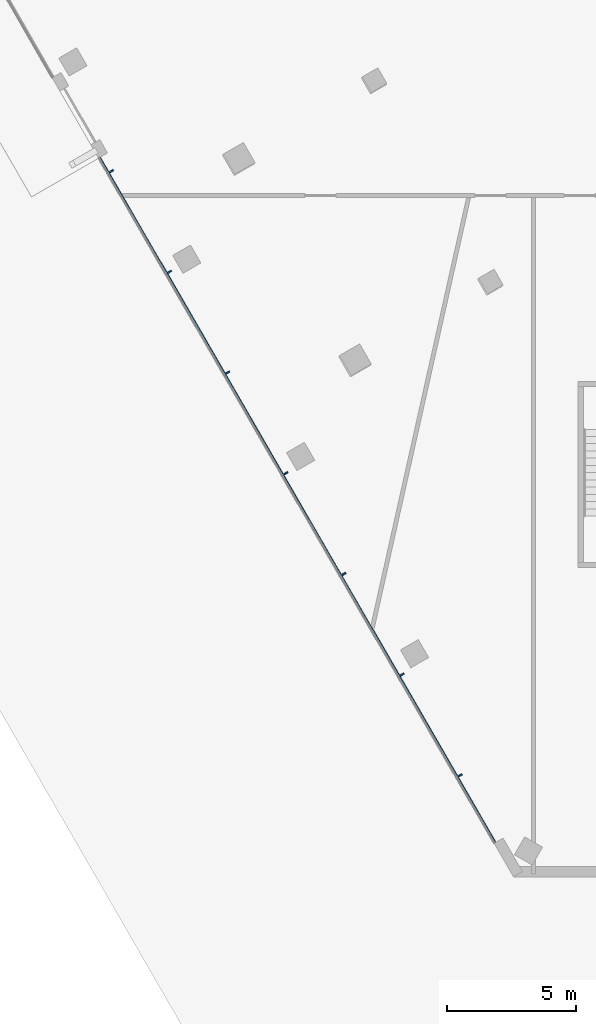
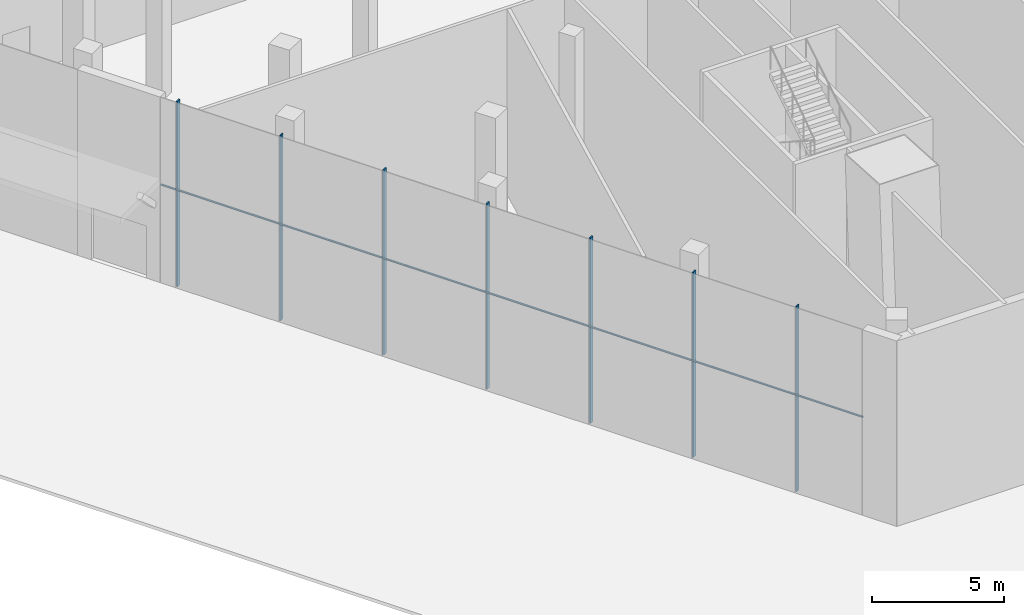
# One storey, part 2 of 21: 8 members, 1 element without a shape of its own.
"""IFC4 building model written with IfcOpenShell, lengths in metres."""

import ifcopenshell
import ifcopenshell.guid

model = None  # the IFC model being written
_history = None  # IfcOwnerHistory: only IFC2X3 demands one
_inside = {}  # id of a spatial element -> (the spatial element, [elements in it])
_under = {}  # id of a project, library or spatial element -> (it, [spatial elements below it])
_declared = {}  # id of a project -> (the project, [libraries it declares])
_typed = {}  # id of a type object -> (the type object, [elements of that type])
_made_of = {}  # id of a material, layer set ... -> (it, [elements and type objects made of it])


def new_model(schema):
    """Start an empty IFC model of exactly this schema.

    Asked for "IFC4X3", IfcOpenShell would pick the latest addendum, in which some entities
    have other attributes; the version numbers below select the first issue.
    IFC2X3 requires an IfcOwnerHistory on every rooted entity: one is made here for all.
    """
    global model, _history
    if schema == "IFC4X3":
        model = ifcopenshell.file(schema_version=(4, 3, 0, 0))
    else:
        model = ifcopenshell.file(schema=schema)
    _inside.clear()
    _under.clear()
    _declared.clear()
    _typed.clear()
    _made_of.clear()
    _history = None
    if model.schema == "IFC2X3":
        org = make("IfcOrganization", Name="unknown")
        user = make(
            "IfcPersonAndOrganization",
            ThePerson=make("IfcPerson", FamilyName="unknown"),
            TheOrganization=org,
        )
        app = make(
            "IfcApplication",
            ApplicationDeveloper=org,
            Version="unknown",
            ApplicationFullName="unknown",
            ApplicationIdentifier="unknown",
        )
        _history = make(
            "IfcOwnerHistory",
            OwningUser=user,
            OwningApplication=app,
            ChangeAction="ADDED",
            CreationDate=0,
        )
    return model


def make(cls, **values):
    """One entity of the class cls with the attributes given. An attribute that is None is left unset."""
    return model.create_entity(
        cls, **{name: value for name, value in values.items() if value is not None}
    )


def rooted(cls, **values):
    """An entity with a GlobalId (a new one), such as an element, a storey or a relation."""
    return make(cls, GlobalId=ifcopenshell.guid.new(), OwnerHistory=_history, **values)


def si_unit(unit_type, name, prefix=None):
    """IfcSIUnit, for example si_unit("LENGTHUNIT", "METRE", prefix="MILLI")."""
    return make("IfcSIUnit", UnitType=unit_type, Prefix=prefix, Name=name)


def assignment(units):
    """IfcUnitAssignment: the units of a project."""
    return None if units is None else make("IfcUnitAssignment", Units=units)


def point(xyz):
    """IfcCartesianPoint."""
    return None if xyz is None else make("IfcCartesianPoint", Coordinates=xyz)


def direction(xyz):
    """IfcDirection."""
    return None if xyz is None else make("IfcDirection", DirectionRatios=xyz)


def frame(location, z_axis=None, x_axis=None):
    """IfcAxis2Placement3D, a coordinate frame: its origin and axes. An axis left out is left unset."""
    return make(
        "IfcAxis2Placement3D",
        Location=point(location),
        Axis=direction(z_axis),
        RefDirection=direction(x_axis),
    )


def frame_2d(location, x_axis=None):
    """IfcAxis2Placement2D, a coordinate frame in the plane: its origin and x axis."""
    return make(
        "IfcAxis2Placement2D", Location=point(location), RefDirection=direction(x_axis)
    )


def origin():
    """The frame at (0, 0, 0) with its axes left unset."""
    return frame((0.0, 0.0, 0.0))


def origin_2d():
    """The frame at (0, 0) in the plane with its x axis left unset."""
    return frame_2d((0.0, 0.0))


def place(relative_to, where):
    """IfcLocalPlacement: puts the frame where relative to a parent placement (None: the world)."""
    return make(
        "IfcLocalPlacement", PlacementRelTo=relative_to, RelativePlacement=where
    )


def context(
    kind, dimensions, precision=None, world=None, true_north=None, identifier=None
):
    """IfcGeometricRepresentationContext, for example the 3D "Model" context."""
    return make(
        "IfcGeometricRepresentationContext",
        ContextIdentifier=identifier,
        ContextType=kind,
        CoordinateSpaceDimension=dimensions,
        Precision=precision,
        WorldCoordinateSystem=world,
        TrueNorth=true_north,
    )


def subcontext(parent, identifier, kind, view, scale=None):
    """IfcGeometricRepresentationSubContext, for example "Body" below "Model"."""
    return make(
        "IfcGeometricRepresentationSubContext",
        ContextIdentifier=identifier,
        ContextType=kind,
        ParentContext=parent,
        TargetScale=scale,
        TargetView=view,
    )


def project(units=None, contexts=None):
    """IfcProject with its units and contexts."""
    return rooted(
        "IfcProject",
        Name="project",
        RepresentationContexts=contexts,
        UnitsInContext=assignment(units),
    )


def spatial(cls, under=None, at=None, **own):
    """A site, building, storey or space (cls), placed at a placement, below another one or the project."""
    s = rooted(cls, ObjectPlacement=at, **own)
    if under is not None:
        _under.setdefault(under.id(), (under, []))[1].append(s)
    return s


def profile(cls, at=None, kind="AREA", **sizes):
    """A parametric profile (cls). Its sizes go by their IFC names, for example OverallWidth=200.0."""
    return make(cls, ProfileType=kind, Position=at, **sizes)


def rectangle(**sizes):
    """IfcRectangleProfileDef."""
    return profile("IfcRectangleProfileDef", **sizes)


def extrude(swept, where, along, depth):
    """IfcExtrudedAreaSolid: the profile swept, set in the frame where, extruded along a direction by depth."""
    return make(
        "IfcExtrudedAreaSolid",
        SweptArea=swept,
        Position=where,
        ExtrudedDirection=direction(along),
        Depth=depth,
    )


def shape(context_of_items, identifier, shape_type, items):
    """IfcShapeRepresentation: the items that make up one representation, for example the "Body"."""
    return make(
        "IfcShapeRepresentation",
        ContextOfItems=context_of_items,
        RepresentationIdentifier=identifier,
        RepresentationType=shape_type,
        Items=items,
    )


def material(Name=None, Category=None):
    """IfcMaterial."""
    return make("IfcMaterial", Name=Name, Category=Category)


def layer(
    of_material, thickness, ventilated=None, Name=None, Category=None, Priority=None
):
    """IfcMaterialLayer: one layer of a wall or slab, of a material (None: an air gap)."""
    return make(
        "IfcMaterialLayer",
        Material=of_material,
        LayerThickness=thickness,
        IsVentilated=ventilated,
        Name=Name,
        Category=Category,
        Priority=Priority,
    )


def layer_set(layers, Name=None):
    """IfcMaterialLayerSet."""
    return make("IfcMaterialLayerSet", MaterialLayers=layers, LayerSetName=Name)


def material_profile(
    of_material, cross_section, Name=None, Category=None, Priority=None
):
    """IfcMaterialProfile: a cross section and its material."""
    return make(
        "IfcMaterialProfile",
        Name=Name,
        Material=of_material,
        Profile=cross_section,
        Priority=Priority,
        Category=Category,
    )


def profile_set(profiles, Name=None, composite=None):
    """IfcMaterialProfileSet."""
    return make(
        "IfcMaterialProfileSet",
        Name=Name,
        MaterialProfiles=profiles,
        CompositeProfile=composite,
    )


def made_of(thing, what):
    """Note that an element or type object is made of a material, layer set ...; save() writes the relation."""
    if what is not None:
        _made_of.setdefault(what.id(), (what, []))[1].append(thing)
    return thing


def type_object(cls, material=None, **own):
    """A type object (cls), such as IfcWallType, which elements share."""
    return made_of(rooted(cls, **own), material)


def element(
    cls,
    number,
    at=None,
    inside=None,
    cuts=None,
    type_object=None,
    material=None,
    context=None,
    identifier="Body",
    shape_type=None,
    held_by="IfcProductDefinitionShape",
    body=None,
    shapes=None,
    **own,
):
    """One element of the class cls, such as IfcWall. Its Tag is "e" and its number.

    at: its placement. inside: the storey or other place that contains it. cuts: it is an
    opening in that element (IfcRelVoidsElement). A single representation is given by context,
    identifier, shape_type and body (its items); several are given by shapes. held_by: the class
    of the entity that holds the representations. save() writes the other relations.
    """
    e = rooted(cls, Tag="e%d" % number, ObjectPlacement=at, **own)
    if body is not None:
        shapes = [shape(context, identifier, shape_type, body)]
    if shapes is not None:
        e.Representation = make(held_by, Representations=shapes)
    if inside is not None:
        _inside.setdefault(inside.id(), (inside, []))[1].append(e)
    if cuts is not None:
        rooted(
            "IfcRelVoidsElement", RelatingBuildingElement=cuts, RelatedOpeningElement=e
        )
    if type_object is not None:
        _typed.setdefault(type_object.id(), (type_object, []))[1].append(e)
    return made_of(e, material)


def aggregate(whole, parts):
    """IfcRelAggregates: a whole, such as a stair, and the parts it consists of."""
    return rooted("IfcRelAggregates", RelatingObject=whole, RelatedObjects=parts)


def save(model, path):
    """Write the relations noted so far, then the file.

    IfcRelAggregates (storeys below a building ...), IfcRelContainedInSpatialStructure (elements
    in a storey), IfcRelDefinesByType, IfcRelAssociatesMaterial and IfcRelDeclares: one each for
    every whole, place, type object, material and project.
    """
    for whole, parts in _under.values():
        aggregate(whole, parts)
    for where, things in _inside.values():
        rooted(
            "IfcRelContainedInSpatialStructure",
            RelatedElements=things,
            RelatingStructure=where,
        )
    for kind, things in _typed.values():
        rooted("IfcRelDefinesByType", RelatedObjects=things, RelatingType=kind)
    for what, things in _made_of.values():
        rooted("IfcRelAssociatesMaterial", RelatedObjects=things, RelatingMaterial=what)
    for by, libraries in _declared.values():
        rooted("IfcRelDeclares", RelatingContext=by, RelatedDefinitions=libraries)
    model.write(path)


model = new_model("IFC4")

# Units and contexts
model_context = context("Model", 3, precision=1e-05, world=origin(), true_north=direction((0.0, 1.0)))
body_context = subcontext(model_context, "Body", "Model", "MODEL_VIEW")
ifc_project = project(units=[si_unit("LENGTHUNIT", "METRE"), si_unit("AREAUNIT", "SQUARE_METRE"), si_unit("VOLUMEUNIT", "CUBIC_METRE"), si_unit("PLANEANGLEUNIT", "RADIAN"), si_unit("MASSUNIT", "GRAM", prefix="KILO")], contexts=[model_context])

# Site, building, storey
site_placement = place(None, origin())
site = spatial("IfcSite", under=ifc_project, at=site_placement, CompositionType="ELEMENT")
building_placement = place(site_placement, origin())
building = spatial("IfcBuilding", under=site, at=building_placement, Name="Altiplano Prism Tower", CompositionType="ELEMENT")
storey_placement = place(building_placement, origin())
storey = spatial("IfcBuildingStorey", under=building, at=storey_placement, Name="L00", CompositionType="ELEMENT", Elevation=0.0)

# Curtain wall, members
ifc_material_1 = material(Name="Aluminium and glass", Category="aluminium")
ifc_layer = layer(ifc_material_1, 0.261962890625)
ifc_layer_set = layer_set([ifc_layer], Name="Aluminium and glass")
curtain_wall_type = type_object("IfcCurtainWallType", Name="CW4 concourse and street shopfront", PredefinedType="NOTDEFINED", material=ifc_layer_set)
curtain_wall_placement = place(storey_placement, origin())
curtain_wall = element("IfcCurtainWall", 1, at=curtain_wall_placement, inside=storey, type_object=curtain_wall_type, Name="CW4 shopfront south-west face L00", PredefinedType="NOTDEFINED")
ifc_material_2 = material(Name="Aluminium", Category="aluminium")
ifc_material_profile_1 = material_profile(ifc_material_2, rectangle(XDim=0.179931640625, YDim=0.06005859375, at=origin_2d()), Name="CW4 mullion 60 x 180")
ifc_profile_set_1 = profile_set([ifc_material_profile_1], Name="Aluminium")
member_type_1 = type_object("IfcMemberType", Name="CW4 mullion 60 x 180", PredefinedType="MULLION", material=ifc_profile_set_1)
member_1_placement = place(storey_placement, frame((63.931396484375, 68.3359375, 0.0), z_axis=(0.0, 0.0, 1.0), x_axis=(0.866025405818, 0.499999996478, 0.0)))
member_1 = element("IfcMember", 2, at=member_1_placement, type_object=member_type_1, Name="CW4 mullion", PredefinedType="MULLION", context=body_context, shape_type="SweptSolid", body=[
    extrude(rectangle(XDim=0.179931640625, YDim=0.06005859375, at=origin_2d()), origin(), (0.0, 0.0, 1.0), 8.550048828125),
])
member_2_placement = place(storey_placement, frame((66.181396484375, 64.43896484375, 0.0), z_axis=(0.0, 0.0, 1.0), x_axis=(0.866025405818, 0.499999996478, 0.0)))
member_2 = element("IfcMember", 3, at=member_2_placement, type_object=member_type_1, Name="CW4 mullion", PredefinedType="MULLION", context=body_context, shape_type="SweptSolid", body=[
    extrude(rectangle(XDim=0.179931640625, YDim=0.06005859375, at=origin_2d()), origin(), (0.0, 0.0, 1.0), 8.550048828125),
])
member_3_placement = place(storey_placement, frame((68.431396484375, 60.541748046875, 0.0), z_axis=(0.0, 0.0, 1.0), x_axis=(0.866025405818, 0.499999996478, 0.0)))
member_3 = element("IfcMember", 4, at=member_3_placement, type_object=member_type_1, Name="CW4 mullion", PredefinedType="MULLION", context=body_context, shape_type="SweptSolid", body=[
    extrude(rectangle(XDim=0.179931640625, YDim=0.06005859375, at=origin_2d()), origin(), (0.0, 0.0, 1.0), 8.550048828125),
])
member_4_placement = place(storey_placement, frame((70.681396484375, 56.644775390625, 0.0), z_axis=(0.0, 0.0, 1.0), x_axis=(0.866025405818, 0.499999996478, 0.0)))
member_4 = element("IfcMember", 5, at=member_4_placement, type_object=member_type_1, Name="CW4 mullion", PredefinedType="MULLION", context=body_context, shape_type="SweptSolid", body=[
    extrude(rectangle(XDim=0.179931640625, YDim=0.06005859375, at=origin_2d()), origin(), (0.0, 0.0, 1.0), 8.550048828125),
])
member_5_placement = place(storey_placement, frame((72.931396484375, 52.74755859375, 0.0), z_axis=(0.0, 0.0, 1.0), x_axis=(0.866025405818, 0.499999996478, 0.0)))
member_5 = element("IfcMember", 6, at=member_5_placement, type_object=member_type_1, Name="CW4 mullion", PredefinedType="MULLION", context=body_context, shape_type="SweptSolid", body=[
    extrude(rectangle(XDim=0.179931640625, YDim=0.06005859375, at=origin_2d()), origin(), (0.0, 0.0, 1.0), 8.550048828125),
])
member_6_placement = place(storey_placement, frame((75.181396484375, 48.850341796875, 0.0), z_axis=(0.0, 0.0, 1.0), x_axis=(0.866025405818, 0.499999996478, 0.0)))
member_6 = element("IfcMember", 7, at=member_6_placement, type_object=member_type_1, Name="CW4 mullion", PredefinedType="MULLION", context=body_context, shape_type="SweptSolid", body=[
    extrude(rectangle(XDim=0.179931640625, YDim=0.06005859375, at=origin_2d()), origin(), (0.0, 0.0, 1.0), 8.550048828125),
])
member_7_placement = place(storey_placement, frame((77.431396484375, 44.953369140625, 0.0), z_axis=(0.0, 0.0, 1.0), x_axis=(0.866025405818, 0.499999996478, 0.0)))
member_7 = element("IfcMember", 8, at=member_7_placement, type_object=member_type_1, Name="CW4 mullion", PredefinedType="MULLION", context=body_context, shape_type="SweptSolid", body=[
    extrude(rectangle(XDim=0.179931640625, YDim=0.06005859375, at=origin_2d()), origin(), (0.0, 0.0, 1.0), 8.550048828125),
])
ifc_material_profile_2 = material_profile(ifc_material_2, rectangle(XDim=0.050048828125, YDim=0.06005859375, at=origin_2d()), Name="CW4 transom 60 x 50")
ifc_profile_set_2 = profile_set([ifc_material_profile_2], Name="Aluminium")
member_type_2 = type_object("IfcMemberType", Name="CW4 transom 60 x 50", PredefinedType="USERDEFINED", material=ifc_profile_set_2)
member_8_placement = place(storey_placement, frame((63.489990234375, 68.870361328125, 4.5), z_axis=(0.499998998695, -0.866025981888, 0.0), x_axis=(0.866025981888, 0.499998998695, 0.0)))
member_8 = element("IfcMember", 9, at=member_8_placement, type_object=member_type_2, Name="CW4 transom", ObjectType="TRANSOM", PredefinedType="USERDEFINED", context=body_context, shape_type="SweptSolid", body=[
    extrude(rectangle(XDim=0.050048828125, YDim=0.06005859375, at=origin_2d()), origin(), (0.0, 0.0, 1.0), 30.61865234375),
])
aggregate(curtain_wall, [member_1, member_2, member_3, member_4, member_5, member_6, member_7, member_8])

save(model, "model.ifc")
